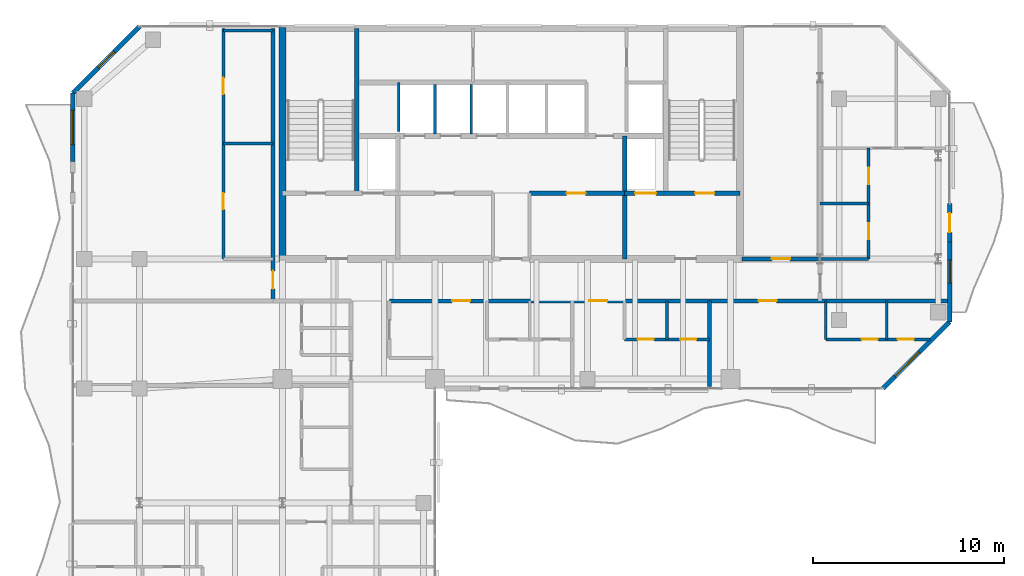
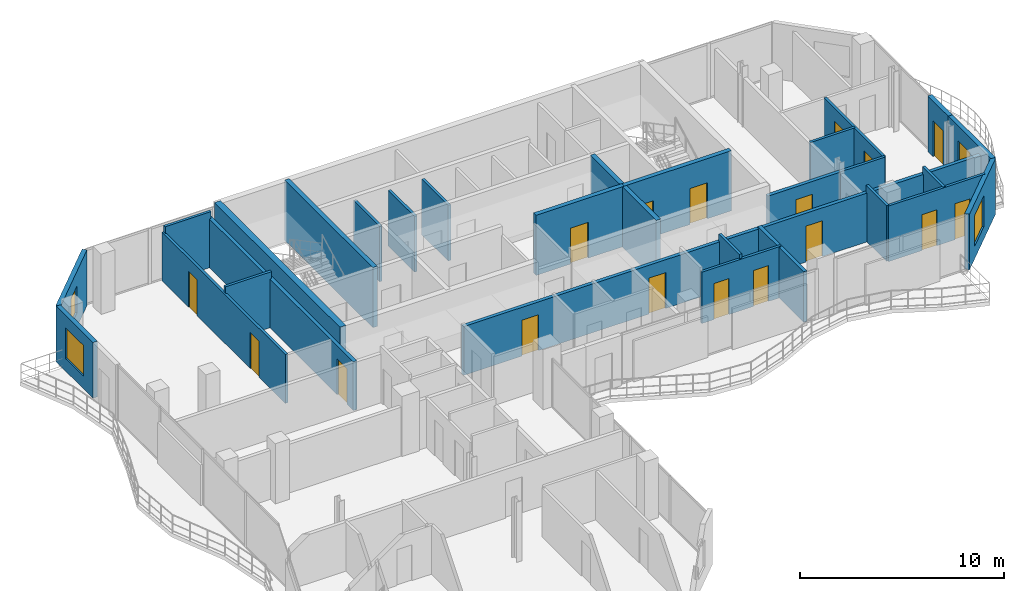
# One storey, part 19 of 23: 28 walls, 17 doors, 4 windows, 21 openings.
"""IFC4 building model written with IfcOpenShell, lengths in metres."""

from ifc_helpers import new_model, si_unit, direction, frame, frame_2d, origin, place, context, subcontext, project, spatial, rectangle, extrude, material, layer, layer_set, type_object, element, fill, save


model = new_model("IFC4")

# Units and contexts
model_context = context("Model", 3, precision=1e-05, world=origin(), true_north=direction((0.0, 1.0)))
body_context = subcontext(model_context, "Body", "Model", "MODEL_VIEW")
ifc_project = project(units=[si_unit("LENGTHUNIT", "METRE"), si_unit("AREAUNIT", "SQUARE_METRE"), si_unit("VOLUMEUNIT", "CUBIC_METRE"), si_unit("PLANEANGLEUNIT", "RADIAN"), si_unit("MASSUNIT", "GRAM", prefix="KILO")], contexts=[model_context])

# Site, building, storey
site_placement = place(None, origin())
site = spatial("IfcSite", under=ifc_project, at=site_placement, CompositionType="ELEMENT")
building_placement = place(site_placement, origin())
building = spatial("IfcBuilding", under=site, at=building_placement, Name="Catumbela Crestline Tower", CompositionType="ELEMENT")
storey_placement = place(building_placement, frame((0.0, 0.0, 179.4)))
storey = spatial("IfcBuildingStorey", under=building, at=storey_placement, Name="L46", CompositionType="ELEMENT", Elevation=179.4)

# Walls
ifc_material_1 = material(Name="Concrete C50/60", Category="concrete")
ifc_layer_1 = layer(ifc_material_1, 0.25, Name="Concrete C50/60")
ifc_layer_set_1 = layer_set([ifc_layer_1], Name="Concrete C50/60")
wall_type_1 = type_object("IfcWallType", Name="CW-250D", PredefinedType="SHEAR", material=ifc_layer_set_1)
wall_1_placement = place(storey_placement, frame((19.9, 34.25, 0.0), z_axis=(0.0, 0.0, 1.0), x_axis=(0.0, 1.0, 0.0)))
element("IfcWall", 1, at=wall_1_placement, inside=storey, type_object=wall_type_1, Name="L46 Structural Core Shear Wall WWEB", PredefinedType="SHEAR", context=body_context, shape_type="SweptSolid", body=[
    extrude(rectangle(XDim=8.65, YDim=0.25, at=frame_2d((4.325, 0.0))), origin(), (0.0, 0.0, 1.0), 3.6),
])
wall_2_placement = place(storey_placement, frame((33.95, 30.8, 0.0), z_axis=(0.0, 0.0, 1.0), x_axis=(0.0, 1.0, 0.0)))
element("IfcWall", 2, at=wall_2_placement, inside=storey, type_object=wall_type_1, Name="L46 Structural Core Shear Wall FFE", PredefinedType="SHEAR", context=body_context, shape_type="SweptSolid", body=[
    extrude(rectangle(XDim=6.45, YDim=0.25, at=frame_2d((3.225, 0.0))), origin(), (0.0, 0.0, 1.0), 3.6),
])

# Wall, openings, doors
wall_3_placement = place(storey_placement, frame((33.95, 34.25, 0.0), z_axis=(0.0, 0.0, 1.0), x_axis=(1.0, 0.0, 0.0)))
wall_3 = element("IfcWall", 3, at=wall_3_placement, inside=storey, type_object=wall_type_1, Name="L46 Structural Core Shear Wall ST2S", PredefinedType="SHEAR", context=body_context, shape_type="SweptSolid", body=[
    extrude(rectangle(XDim=6.05, YDim=0.25, at=frame_2d((3.025, 0.0))), origin(), (0.0, 0.0, 1.0), 3.6),
])
opening_1_placement = place(wall_3_placement, frame((3.7, 0.0, 0.0)))
opening_1 = element("IfcOpeningElement", 4, at=opening_1_placement, cuts=wall_3, Name="Opening DF9-100", PredefinedType="OPENING", context=body_context, shape_type="SweptSolid", body=[
    extrude(rectangle(XDim=1.0, YDim=2.15, at=frame_2d((0.5, 1.075))), frame((0.0, 0.135, 0.0), z_axis=(0.0, -1.0, 0.0), x_axis=(1.0, 0.0, 0.0)), (0.0, 0.0, 1.0), 0.27),
])
opening_2_placement = place(wall_3_placement, frame((0.55, 0.0, 0.0)))
opening_2 = element("IfcOpeningElement", 5, at=opening_2_placement, cuts=wall_3, Name="Opening LD-110", PredefinedType="OPENING", context=body_context, shape_type="SweptSolid", body=[
    extrude(rectangle(XDim=1.1, YDim=2.15, at=frame_2d((0.55, 1.075))), frame((0.0, 0.135, 0.0), z_axis=(0.0, -1.0, 0.0), x_axis=(1.0, 0.0, 0.0)), (0.0, 0.0, 1.0), 0.27),
])
ifc_material_2 = material(Name="Stainless steel EN 1.4401", Category="steel")
door_type_1 = type_object("IfcDoorType", Name="DF9-100", OperationType="NOTDEFINED", PredefinedType="DOOR", material=ifc_material_2)
door_1_placement = place(opening_1_placement, origin())
door_1 = element("IfcDoor", 6, at=door_1_placement, inside=storey, type_object=door_type_1, Name="L46 Interior Door DR-L46-ST02", OperationType="SINGLE_SWING_RIGHT", OverallHeight=2.15, OverallWidth=1.0, PredefinedType="DOOR", context=body_context, shape_type="SweptSolid", body=[
    extrude(rectangle(XDim=1.0, YDim=2.15, at=frame_2d((0.5, 1.075))), frame((0.0, 0.025, 0.0), z_axis=(0.0, -1.0, 0.0), x_axis=(1.0, 0.0, 0.0)), (0.0, 0.0, 1.0), 0.05),
])
fill(opening_1, door_1)
door_type_2 = type_object("IfcDoorType", Name="LD-110", OperationType="NOTDEFINED", PredefinedType="DOOR", material=ifc_material_2)
door_2_placement = place(opening_2_placement, origin())
door_2 = element("IfcDoor", 7, at=door_2_placement, inside=storey, type_object=door_type_2, Name="L46 Lift Landing Sliding Door FL-02", OperationType="DOUBLE_DOOR_SLIDING", OverallHeight=2.15, OverallWidth=1.1, PredefinedType="DOOR", context=body_context, shape_type="SweptSolid", body=[
    extrude(rectangle(XDim=1.1, YDim=2.15, at=frame_2d((0.55, 1.075))), frame((0.0, 0.025, 0.0), z_axis=(0.0, -1.0, 0.0), x_axis=(1.0, 0.0, 0.0)), (0.0, 0.0, 1.0), 0.05),
])
fill(opening_2, door_2)

# Wall, opening, door
wall_4_placement = place(storey_placement, frame((28.95, 34.25, 0.0), z_axis=(0.0, 0.0, 1.0), x_axis=(1.0, 0.0, 0.0)))
wall_4 = element("IfcWall", 8, at=wall_4_placement, inside=storey, type_object=wall_type_1, Name="L46 Structural Core Shear Wall LIFTS-E", PredefinedType="SHEAR", context=body_context, shape_type="SweptSolid", body=[
    extrude(rectangle(XDim=5.0, YDim=0.25, at=frame_2d((2.5, 0.0))), origin(), (0.0, 0.0, 1.0), 3.6),
])
opening_3_placement = place(wall_4_placement, frame((1.95, 0.0, 0.0)))
opening_3 = element("IfcOpeningElement", 9, at=opening_3_placement, cuts=wall_4, Name="Opening DF9-100", PredefinedType="OPENING", context=body_context, shape_type="SweptSolid", body=[
    extrude(rectangle(XDim=1.0, YDim=2.15, at=frame_2d((0.5, 1.075))), frame((0.0, 0.135, 0.0), z_axis=(0.0, -1.0, 0.0), x_axis=(1.0, 0.0, 0.0)), (0.0, 0.0, 1.0), 0.27),
])
door_3_placement = place(opening_3_placement, origin())
door_3 = element("IfcDoor", 10, at=door_3_placement, inside=storey, type_object=door_type_1, Name="L46 Interior Door DR-L46-RECL2", OperationType="SINGLE_SWING_RIGHT", OverallHeight=2.15, OverallWidth=1.0, PredefinedType="DOOR", context=body_context, shape_type="SweptSolid", body=[
    extrude(rectangle(XDim=1.0, YDim=2.15, at=frame_2d((0.5, 1.075))), frame((0.0, 0.025, 0.0), z_axis=(0.0, -1.0, 0.0), x_axis=(1.0, 0.0, 0.0)), (0.0, 0.0, 1.0), 0.05),
])
fill(opening_3, door_3)

# Wall
ifc_layer_2 = layer(ifc_material_1, 0.35, Name="Concrete C50/60")
ifc_layer_set_2 = layer_set([ifc_layer_2], Name="Concrete C50/60")
wall_type_2 = type_object("IfcWallType", Name="CW-350B", PredefinedType="SHEAR", material=ifc_layer_set_2)
wall_5_placement = place(storey_placement, frame((16.0, 30.65, 0.0), z_axis=(0.0, 0.0, 1.0), x_axis=(0.0, 1.0, 0.0)))
element("IfcWall", 11, at=wall_5_placement, inside=storey, type_object=wall_type_2, Name="L46 Structural Core Shear Wall W", PredefinedType="SHEAR", context=body_context, shape_type="SweptSolid", body=[
    extrude(rectangle(XDim=12.3, YDim=0.35, at=frame_2d((6.15, 0.0))), origin(), (0.0, 0.0, 1.0), 3.6),
])

# Wall, openings, doors
ifc_material_3 = material(Name="Acoustic gypsum and mineral-wool partition")
ifc_layer_3 = layer(ifc_material_3, 0.2, Name="Acoustic gypsum and mineral-wool partition")
ifc_layer_set_3 = layer_set([ifc_layer_3], Name="Acoustic gypsum and mineral-wool partition")
wall_type_3 = type_object("IfcWallType", Name="WC-200", PredefinedType="PARTITIONING", material=ifc_layer_set_3)
wall_6_placement = place(storey_placement, frame((21.6, 28.6, 0.0), z_axis=(0.0, 0.0, 1.0), x_axis=(1.0, 0.0, 0.0)))
wall_6 = element("IfcWall", 12, at=wall_6_placement, inside=storey, type_object=wall_type_3, Name="L46 Interior Partition PW-L46-RCWR", PredefinedType="PARTITIONING", context=body_context, shape_type="SweptSolid", body=[
    extrude(rectangle(XDim=29.3, YDim=0.2, at=frame_2d((14.65, 0.0))), origin(), (0.0, 0.0, 1.0), 2.92),
])
opening_4_placement = place(wall_6_placement, frame((3.293, 0.0, 0.0)))
opening_4 = element("IfcOpeningElement", 13, at=opening_4_placement, cuts=wall_6, Name="Opening DF6-095", PredefinedType="OPENING", context=body_context, shape_type="SweptSolid", body=[
    extrude(rectangle(XDim=0.95, YDim=2.15, at=frame_2d((0.475, 1.075))), frame((0.0, 0.11, 0.0), z_axis=(0.0, -1.0, 0.0), x_axis=(1.0, 0.0, 0.0)), (0.0, 0.0, 1.0), 0.22),
])
opening_5_placement = place(wall_6_placement, frame((10.493, 0.0, 0.0)))
opening_5 = element("IfcOpeningElement", 14, at=opening_5_placement, cuts=wall_6, Name="Opening DF6-095", PredefinedType="OPENING", context=body_context, shape_type="SweptSolid", body=[
    extrude(rectangle(XDim=0.95, YDim=2.15, at=frame_2d((0.475, 1.075))), frame((0.0, 0.11, 0.0), z_axis=(0.0, -1.0, 0.0), x_axis=(1.0, 0.0, 0.0)), (0.0, 0.0, 1.0), 0.22),
])
opening_6_placement = place(wall_6_placement, frame((19.375, 0.0, 0.0)))
opening_6 = element("IfcOpeningElement", 15, at=opening_6_placement, cuts=wall_6, Name="Opening DF6-095", PredefinedType="OPENING", context=body_context, shape_type="SweptSolid", body=[
    extrude(rectangle(XDim=0.95, YDim=2.15, at=frame_2d((0.475, 1.075))), frame((0.0, 0.11, 0.0), z_axis=(0.0, -1.0, 0.0), x_axis=(1.0, 0.0, 0.0)), (0.0, 0.0, 1.0), 0.22),
])
ifc_material_4 = material(Name="Aluminium alloy AW-6060-T66", Category="aluminium")
door_type_3 = type_object("IfcDoorType", Name="DF6-095", OperationType="NOTDEFINED", PredefinedType="DOOR", material=ifc_material_4)
door_4_placement = place(opening_4_placement, origin())
door_4 = element("IfcDoor", 16, at=door_4_placement, inside=storey, type_object=door_type_3, Name="L46 Interior Door DR-L46-S1-ENT", OperationType="SINGLE_SWING_LEFT", OverallHeight=2.15, OverallWidth=0.95, PredefinedType="DOOR", context=body_context, shape_type="SweptSolid", body=[
    extrude(rectangle(XDim=0.95, YDim=2.15, at=frame_2d((0.475, 1.075))), frame((0.0, 0.025, 0.0), z_axis=(0.0, -1.0, 0.0), x_axis=(1.0, 0.0, 0.0)), (0.0, 0.0, 1.0), 0.05),
])
fill(opening_4, door_4)
door_5_placement = place(opening_5_placement, origin())
door_5 = element("IfcDoor", 17, at=door_5_placement, inside=storey, type_object=door_type_3, Name="L46 Interior Door DR-L46-S2-ENT", OperationType="SINGLE_SWING_RIGHT", OverallHeight=2.15, OverallWidth=0.95, PredefinedType="DOOR", context=body_context, shape_type="SweptSolid", body=[
    extrude(rectangle(XDim=0.95, YDim=2.15, at=frame_2d((0.475, 1.075))), frame((0.0, 0.025, 0.0), z_axis=(0.0, -1.0, 0.0), x_axis=(1.0, 0.0, 0.0)), (0.0, 0.0, 1.0), 0.05),
])
fill(opening_5, door_5)
door_6_placement = place(opening_6_placement, origin())
door_6 = element("IfcDoor", 18, at=door_6_placement, inside=storey, type_object=door_type_3, Name="L46 Interior Door DR-L46-S3-ENT", OperationType="SINGLE_SWING_LEFT", OverallHeight=2.15, OverallWidth=0.95, PredefinedType="DOOR", context=body_context, shape_type="SweptSolid", body=[
    extrude(rectangle(XDim=0.95, YDim=2.15, at=frame_2d((0.475, 1.075))), frame((0.0, 0.025, 0.0), z_axis=(0.0, -1.0, 0.0), x_axis=(1.0, 0.0, 0.0)), (0.0, 0.0, 1.0), 0.05),
])
fill(opening_6, door_6)

# Wall, opening, door
wall_7_placement = place(storey_placement, frame((15.5, 28.6, 0.0), z_axis=(0.0, 0.0, 1.0), x_axis=(0.0, 1.0, 0.0)))
wall_7 = element("IfcWall", 19, at=wall_7_placement, inside=storey, type_object=wall_type_3, Name="L46 Interior Partition PW-L46-NW1-ENT", PredefinedType="PARTITIONING", context=body_context, shape_type="SweptSolid", body=[
    extrude(rectangle(XDim=14.3, YDim=0.2, at=frame_2d((7.15, 0.0))), origin(), (0.0, 0.0, 1.0), 2.92),
])
opening_7_placement = place(wall_7_placement, frame((0.625, 0.0, 0.0)))
opening_7 = element("IfcOpeningElement", 20, at=opening_7_placement, cuts=wall_7, Name="Opening DF6-095", PredefinedType="OPENING", context=body_context, shape_type="SweptSolid", body=[
    extrude(rectangle(XDim=0.95, YDim=2.15, at=frame_2d((0.475, 1.075))), frame((0.0, 0.11, 0.0), z_axis=(0.0, -1.0, 0.0), x_axis=(1.0, 0.0, 0.0)), (0.0, 0.0, 1.0), 0.22),
])
door_7_placement = place(opening_7_placement, origin())
door_7 = element("IfcDoor", 21, at=door_7_placement, inside=storey, type_object=door_type_3, Name="L46 Interior Door DR-L46-NW1-ENT", OperationType="SINGLE_SWING_LEFT", OverallHeight=2.15, OverallWidth=0.95, PredefinedType="DOOR", context=body_context, shape_type="SweptSolid", body=[
    extrude(rectangle(XDim=0.95, YDim=2.15, at=frame_2d((0.475, 1.075))), frame((0.0, 0.025, 0.0), z_axis=(0.0, -1.0, 0.0), x_axis=(1.0, 0.0, 0.0)), (0.0, 0.0, 1.0), 0.05),
])
fill(opening_7, door_7)

wall_8_placement = place(storey_placement, frame((40.1, 30.8, 0.0), z_axis=(0.0, 0.0, 1.0), x_axis=(1.0, 0.0, 0.0)))
wall_8 = element("IfcWall", 22, at=wall_8_placement, inside=storey, type_object=wall_type_3, Name="L46 Interior Partition PW-L46-NERM-ENT", PredefinedType="PARTITIONING", context=body_context, shape_type="SweptSolid", body=[
    extrude(rectangle(XDim=4.1, YDim=0.2, at=frame_2d((2.05, 0.0))), origin(), (0.0, 0.0, 1.0), 2.92),
])
opening_8_placement = place(wall_8_placement, frame((1.575, 0.0, 0.0)))
opening_8 = element("IfcOpeningElement", 23, at=opening_8_placement, cuts=wall_8, Name="Opening DF6-095", PredefinedType="OPENING", context=body_context, shape_type="SweptSolid", body=[
    extrude(rectangle(XDim=0.95, YDim=2.15, at=frame_2d((0.475, 1.075))), frame((0.0, 0.11, 0.0), z_axis=(0.0, -1.0, 0.0), x_axis=(1.0, 0.0, 0.0)), (0.0, 0.0, 1.0), 0.22),
])
door_8_placement = place(opening_8_placement, origin())
door_8 = element("IfcDoor", 24, at=door_8_placement, inside=storey, type_object=door_type_3, Name="L46 Interior Door DR-L46-NERM-ENT", OperationType="SINGLE_SWING_LEFT", OverallHeight=2.15, OverallWidth=0.95, PredefinedType="DOOR", context=body_context, shape_type="SweptSolid", body=[
    extrude(rectangle(XDim=0.95, YDim=2.15, at=frame_2d((0.475, 1.075))), frame((0.0, 0.025, 0.0), z_axis=(0.0, -1.0, 0.0), x_axis=(1.0, 0.0, 0.0)), (0.0, 0.0, 1.0), 0.05),
])
fill(opening_8, door_8)

# Wall, opening, window
ifc_material_5 = material(Name="Angolan grey-ochre granite", Category="masonry")
ifc_layer_4 = layer(ifc_material_5, 0.25, Name="Angolan grey-ochre granite")
ifc_layer_set_4 = layer_set([ifc_layer_4], Name="Angolan grey-ochre granite")
wall_type_4 = type_object("IfcWallType", Name="WE-250", PredefinedType="STANDARD", material=ifc_layer_set_4)
wall_9_placement = place(storey_placement, frame((47.5, 24.0, 0.0), z_axis=(0.0, 0.0, 1.0), x_axis=(0.707106781187, 0.707106781187, 0.0)))
wall_9 = element("IfcWall", 25, at=wall_9_placement, inside=storey, type_object=wall_type_4, Name="L46 Granite Punched Window Wall 4-1", PredefinedType="STANDARD", context=body_context, shape_type="SweptSolid", body=[
    extrude(rectangle(XDim=4.9497, YDim=0.25, at=frame_2d((2.4748, 0.0))), origin(), (0.0, 0.0, 1.0), 3.33),
])
opening_9_placement = place(wall_9_placement, frame((0.8962, 0.0, 0.75)))
opening_9 = element("IfcOpeningElement", 26, at=opening_9_placement, cuts=wall_9, Name="Opening WN-01", PredefinedType="OPENING", context=body_context, shape_type="SweptSolid", body=[
    extrude(rectangle(XDim=1.8, YDim=1.85, at=frame_2d((0.9, 0.925))), frame((0.0, 0.135, 0.0), z_axis=(0.0, -1.0, 0.0), x_axis=(1.0, 0.0, 0.0)), (0.0, 0.0, 1.0), 0.27),
])
ifc_material_6 = material(Name="Low-E laminated solar-control double glazing", Category="glass")
window_type_1 = type_object("IfcWindowType", Name="WF-1800", PartitioningType="SINGLE_PANEL", PredefinedType="WINDOW", material=ifc_material_6)
window_1_placement = place(opening_9_placement, origin())
window_1 = element("IfcWindow", 27, at=window_1_placement, inside=storey, type_object=window_type_1, Name="L46 Facade Vision Window 287", OverallHeight=1.85, OverallWidth=1.8, PartitioningType="SINGLE_PANEL", PredefinedType="WINDOW", context=body_context, shape_type="SweptSolid", body=[
    extrude(rectangle(XDim=1.8, YDim=1.85, at=frame_2d((0.9, 0.925))), frame((0.0, 0.03, 0.0), z_axis=(0.0, -1.0, 0.0), x_axis=(1.0, 0.0, 0.0)), (0.0, 0.0, 1.0), 0.06),
])
fill(opening_9, window_1)

# Wall, opening, door
wall_10_placement = place(storey_placement, frame((51.0, 31.7, 0.0), z_axis=(0.0, 0.0, 1.0), x_axis=(0.0, 1.0, 0.0)))
wall_10 = element("IfcWall", 28, at=wall_10_placement, inside=storey, type_object=wall_type_4, Name="L46 Exterior Threshold Portal Wall DR-L46-WBAL-2", PredefinedType="STANDARD", context=body_context, shape_type="SweptSolid", body=[
    extrude(rectangle(XDim=2.0, YDim=0.25, at=frame_2d((1.0, 0.0))), origin(), (0.0, 0.0, 1.0), 3.33),
])
opening_10_placement = place(wall_10_placement, frame((0.5, 0.0, 0.0)))
opening_10 = element("IfcOpeningElement", 29, at=opening_10_placement, cuts=wall_10, Name="Opening DB-L46-2", PredefinedType="OPENING", context=body_context, shape_type="SweptSolid", body=[
    extrude(rectangle(XDim=1.0, YDim=2.15, at=frame_2d((0.5, 1.075))), frame((0.0, 0.135, 0.0), z_axis=(0.0, -1.0, 0.0), x_axis=(1.0, 0.0, 0.0)), (0.0, 0.0, 1.0), 0.27),
])
door_type_4 = type_object("IfcDoorType", Name="DB-1000", OperationType="NOTDEFINED", PredefinedType="DOOR", material=ifc_material_4)
door_9_placement = place(opening_10_placement, origin())
door_9 = element("IfcDoor", 30, at=door_9_placement, inside=storey, type_object=door_type_4, Name="L46 Wave Balcony Terrace Door 2", OperationType="SINGLE_SWING_LEFT", OverallHeight=2.15, OverallWidth=1.0, PredefinedType="DOOR", context=body_context, shape_type="SweptSolid", body=[
    extrude(rectangle(XDim=1.0, YDim=2.15, at=frame_2d((0.5, 1.075))), frame((0.0, 0.025, 0.0), z_axis=(0.0, -1.0, 0.0), x_axis=(1.0, 0.0, 0.0)), (0.0, 0.0, 1.0), 0.05),
])
fill(opening_10, door_9)

# Wall, opening, window
wall_11_placement = place(storey_placement, frame((51.0, 27.5, 0.0), z_axis=(0.0, 0.0, 1.0), x_axis=(0.0, 1.0, 0.0)))
wall_11 = element("IfcWall", 31, at=wall_11_placement, inside=storey, type_object=wall_type_4, Name="L46 Granite Punched Window Wall 5-1", PredefinedType="STANDARD", context=body_context, shape_type="SweptSolid", body=[
    extrude(rectangle(XDim=4.2, YDim=0.25, at=frame_2d((2.1, 0.0))), origin(), (0.0, 0.0, 1.0), 3.33),
])
opening_11_placement = place(wall_11_placement, frame((2.04, 0.0, 0.85)))
opening_11 = element("IfcOpeningElement", 32, at=opening_11_placement, cuts=wall_11, Name="Opening WN-02", PredefinedType="OPENING", context=body_context, shape_type="SweptSolid", body=[
    extrude(rectangle(XDim=1.2, YDim=1.6, at=frame_2d((0.6, 0.8))), frame((0.0, 0.135, 0.0), z_axis=(0.0, -1.0, 0.0), x_axis=(1.0, 0.0, 0.0)), (0.0, 0.0, 1.0), 0.27),
])
window_type_2 = type_object("IfcWindowType", Name="WO-1200", PartitioningType="SINGLE_PANEL", PredefinedType="WINDOW", material=ifc_material_6)
window_2_placement = place(opening_11_placement, origin())
window_2 = element("IfcWindow", 33, at=window_2_placement, inside=storey, type_object=window_type_2, Name="L46 Facade Vision Window 288", OverallHeight=1.6, OverallWidth=1.2, PartitioningType="SINGLE_PANEL", PredefinedType="WINDOW", context=body_context, shape_type="SweptSolid", body=[
    extrude(rectangle(XDim=1.2, YDim=1.6, at=frame_2d((0.6, 0.8))), frame((0.0, 0.03, 0.0), z_axis=(0.0, -1.0, 0.0), x_axis=(1.0, 0.0, 0.0)), (0.0, 0.0, 1.0), 0.06),
])
fill(opening_11, window_2)

wall_12_placement = place(storey_placement, frame((8.5, 43.0, 0.0), z_axis=(0.0, 0.0, 1.0), x_axis=(-0.707106781187, -0.707106781187, 0.0)))
wall_12 = element("IfcWall", 34, at=wall_12_placement, inside=storey, type_object=wall_type_4, Name="L46 Granite Punched Window Wall 8-1", PredefinedType="STANDARD", context=body_context, shape_type="SweptSolid", body=[
    extrude(rectangle(XDim=4.9497, YDim=0.25, at=frame_2d((2.4748, 0.0))), origin(), (0.0, 0.0, 1.0), 3.33),
])
opening_12_placement = place(wall_12_placement, frame((1.8748, 0.0, 0.85)))
opening_12 = element("IfcOpeningElement", 35, at=opening_12_placement, cuts=wall_12, Name="Opening WN-02", PredefinedType="OPENING", context=body_context, shape_type="SweptSolid", body=[
    extrude(rectangle(XDim=1.2, YDim=1.6, at=frame_2d((0.6, 0.8))), frame((0.0, 0.135, 0.0), z_axis=(0.0, -1.0, 0.0), x_axis=(1.0, 0.0, 0.0)), (0.0, 0.0, 1.0), 0.27),
])
window_3_placement = place(opening_12_placement, origin())
window_3 = element("IfcWindow", 36, at=window_3_placement, inside=storey, type_object=window_type_2, Name="L46 Facade Vision Window 290", OverallHeight=1.6, OverallWidth=1.2, PartitioningType="SINGLE_PANEL", PredefinedType="WINDOW", context=body_context, shape_type="SweptSolid", body=[
    extrude(rectangle(XDim=1.2, YDim=1.6, at=frame_2d((0.6, 0.8))), frame((0.0, 0.03, 0.0), z_axis=(0.0, -1.0, 0.0), x_axis=(1.0, 0.0, 0.0)), (0.0, 0.0, 1.0), 0.06),
])
fill(opening_12, window_3)

wall_13_placement = place(storey_placement, frame((5.0, 39.5, 0.0), z_axis=(0.0, 0.0, 1.0), x_axis=(0.0, -1.0, 0.0)))
wall_13 = element("IfcWall", 37, at=wall_13_placement, inside=storey, type_object=wall_type_4, Name="L46 Granite Punched Window Wall 9-1", PredefinedType="STANDARD", context=body_context, shape_type="SweptSolid", body=[
    extrude(rectangle(XDim=3.6, YDim=0.25, at=frame_2d((1.8, 0.0))), origin(), (0.0, 0.0, 1.0), 3.33),
])
opening_13_placement = place(wall_13_placement, frame((0.9, 0.0, 0.75)))
opening_13 = element("IfcOpeningElement", 38, at=opening_13_placement, cuts=wall_13, Name="Opening WN-01", PredefinedType="OPENING", context=body_context, shape_type="SweptSolid", body=[
    extrude(rectangle(XDim=1.8, YDim=1.85, at=frame_2d((0.9, 0.925))), frame((0.0, 0.135, 0.0), z_axis=(0.0, -1.0, 0.0), x_axis=(1.0, 0.0, 0.0)), (0.0, 0.0, 1.0), 0.27),
])
window_4_placement = place(opening_13_placement, origin())
window_4 = element("IfcWindow", 39, at=window_4_placement, inside=storey, type_object=window_type_1, Name="L46 Facade Vision Window 291", OverallHeight=1.85, OverallWidth=1.8, PartitioningType="SINGLE_PANEL", PredefinedType="WINDOW", context=body_context, shape_type="SweptSolid", body=[
    extrude(rectangle(XDim=1.8, YDim=1.85, at=frame_2d((0.9, 0.925))), frame((0.0, 0.03, 0.0), z_axis=(0.0, -1.0, 0.0), x_axis=(1.0, 0.0, 0.0)), (0.0, 0.0, 1.0), 0.06),
])
fill(opening_13, window_4)

# Wall
ifc_layer_5 = layer(ifc_material_3, 0.15, Name="Acoustic gypsum and mineral-wool partition")
ifc_layer_set_5 = layer_set([ifc_layer_5], Name="Acoustic gypsum and mineral-wool partition")
wall_type_5 = type_object("IfcWallType", Name="WP-150", PredefinedType="PARTITIONING", material=ifc_layer_set_5)
wall_14_placement = place(storey_placement, frame((12.9, 36.85, 0.0), z_axis=(0.0, 0.0, 1.0), x_axis=(1.0, 0.0, 0.0)))
element("IfcWall", 40, at=wall_14_placement, inside=storey, type_object=wall_type_5, Name="L46 Interior Partition PW-L46-NW1-KBM", PredefinedType="PARTITIONING", context=body_context, shape_type="SweptSolid", body=[
    extrude(rectangle(XDim=2.6, YDim=0.15, at=frame_2d((1.3, 0.0))), origin(), (0.0, 0.0, 1.0), 3.33),
])

# Wall, openings, doors
wall_15_placement = place(storey_placement, frame((12.9, 30.8, 0.0), z_axis=(0.0, 0.0, 1.0), x_axis=(0.0, 1.0, 0.0)))
wall_15 = element("IfcWall", 41, at=wall_15_placement, inside=storey, type_object=wall_type_5, Name="L46 Interior Partition PW-L46-NW1-SK1", PredefinedType="PARTITIONING", context=body_context, shape_type="SweptSolid", body=[
    extrude(rectangle(XDim=12.1, YDim=0.15, at=frame_2d((6.05, 0.0))), origin(), (0.0, 0.0, 1.0), 2.92),
])
opening_14_placement = place(wall_15_placement, frame((2.6, 0.0, 0.0)))
opening_14 = element("IfcOpeningElement", 42, at=opening_14_placement, cuts=wall_15, Name="Opening DI-085", PredefinedType="OPENING", context=body_context, shape_type="SweptSolid", body=[
    extrude(rectangle(XDim=0.85, YDim=2.15, at=frame_2d((0.425, 1.075))), frame((0.0, 0.085, 0.0), z_axis=(0.0, -1.0, 0.0), x_axis=(1.0, 0.0, 0.0)), (0.0, 0.0, 1.0), 0.17),
])
opening_15_placement = place(wall_15_placement, frame((8.65, 0.0, 0.0)))
opening_15 = element("IfcOpeningElement", 43, at=opening_15_placement, cuts=wall_15, Name="Opening DI-085", PredefinedType="OPENING", context=body_context, shape_type="SweptSolid", body=[
    extrude(rectangle(XDim=0.85, YDim=2.15, at=frame_2d((0.425, 1.075))), frame((0.0, 0.085, 0.0), z_axis=(0.0, -1.0, 0.0), x_axis=(1.0, 0.0, 0.0)), (0.0, 0.0, 1.0), 0.17),
])
door_type_5 = type_object("IfcDoorType", Name="DI-085", OperationType="NOTDEFINED", PredefinedType="DOOR", material=ifc_material_4)
door_10_placement = place(opening_14_placement, origin())
door_10 = element("IfcDoor", 44, at=door_10_placement, inside=storey, type_object=door_type_5, Name="L46 Interior Door DR-L46-NW1-KIT", OperationType="SINGLE_SWING_LEFT", OverallHeight=2.15, OverallWidth=0.85, PredefinedType="DOOR", context=body_context, shape_type="SweptSolid", body=[
    extrude(rectangle(XDim=0.85, YDim=2.15, at=frame_2d((0.425, 1.075))), frame((0.0, 0.025, 0.0), z_axis=(0.0, -1.0, 0.0), x_axis=(1.0, 0.0, 0.0)), (0.0, 0.0, 1.0), 0.05),
])
fill(opening_14, door_10)
door_11_placement = place(opening_15_placement, origin())
door_11 = element("IfcDoor", 45, at=door_11_placement, inside=storey, type_object=door_type_5, Name="L46 Interior Door DR-L46-NW1-BTH", OperationType="SINGLE_SWING_RIGHT", OverallHeight=2.15, OverallWidth=0.85, PredefinedType="DOOR", context=body_context, shape_type="SweptSolid", body=[
    extrude(rectangle(XDim=0.85, YDim=2.15, at=frame_2d((0.425, 1.075))), frame((0.0, 0.025, 0.0), z_axis=(0.0, -1.0, 0.0), x_axis=(1.0, 0.0, 0.0)), (0.0, 0.0, 1.0), 0.05),
])
fill(opening_15, door_11)

# Walls
wall_16_placement = place(storey_placement, frame((12.9, 42.78, 0.0), z_axis=(0.0, 0.0, 1.0), x_axis=(1.0, 0.0, 0.0)))
element("IfcWall", 46, at=wall_16_placement, inside=storey, type_object=wall_type_5, Name="L46 Interior Partition PW-L46-NW1-BTH-BCL-2", PredefinedType="PARTITIONING", context=body_context, shape_type="SweptSolid", body=[
    extrude(rectangle(XDim=2.6, YDim=0.15, at=frame_2d((1.3, 0.0))), origin(), (0.0, 0.0, 1.0), 3.33),
])
for number, where, z_axis, x_axis, name in (
    (47, (44.2, 30.8, 0.0), (0.0, 0.0, 1.0), (1.0, 0.0, 0.0), "L46 Interior Partition PW-L46-NE1-KBS"),
    (48, (44.2, 33.704, 0.0), (0.0, 0.0, 1.0), (1.0, 0.0, 0.0), "L46 Interior Partition PW-L46-NE1-KBM"),
):
    element("IfcWall", number, at=place(storey_placement, frame(where, z_axis=z_axis, x_axis=x_axis)), inside=storey, type_object=wall_type_5, Name=name, PredefinedType="PARTITIONING", context=body_context, shape_type="SweptSolid", body=[
        extrude(rectangle(XDim=2.546, YDim=0.15, at=frame_2d((1.273, 0.0))), origin(), (0.0, 0.0, 1.0), 2.92),
    ])

# Wall, openings, doors
wall_17_placement = place(storey_placement, frame((46.746, 30.8, 0.0), z_axis=(0.0, 0.0, 1.0), x_axis=(0.0, 1.0, 0.0)))
wall_17 = element("IfcWall", 49, at=wall_17_placement, inside=storey, type_object=wall_type_5, Name="L46 Interior Partition PW-L46-NE1-LK", PredefinedType="PARTITIONING", context=body_context, shape_type="SweptSolid", body=[
    extrude(rectangle(XDim=5.808, YDim=0.15, at=frame_2d((2.904, 0.0))), origin(), (0.0, 0.0, 1.0), 2.92),
])
opening_16_placement = place(wall_17_placement, frame((1.027, 0.0, 0.0)))
opening_16 = element("IfcOpeningElement", 50, at=opening_16_placement, cuts=wall_17, Name="Opening DI-085", PredefinedType="OPENING", context=body_context, shape_type="SweptSolid", body=[
    extrude(rectangle(XDim=0.85, YDim=2.15, at=frame_2d((0.425, 1.075))), frame((0.0, 0.085, 0.0), z_axis=(0.0, -1.0, 0.0), x_axis=(1.0, 0.0, 0.0)), (0.0, 0.0, 1.0), 0.17),
])
opening_17_placement = place(wall_17_placement, frame((3.931, 0.0, 0.0)))
opening_17 = element("IfcOpeningElement", 51, at=opening_17_placement, cuts=wall_17, Name="Opening DI-085", PredefinedType="OPENING", context=body_context, shape_type="SweptSolid", body=[
    extrude(rectangle(XDim=0.85, YDim=2.15, at=frame_2d((0.425, 1.075))), frame((0.0, 0.085, 0.0), z_axis=(0.0, -1.0, 0.0), x_axis=(1.0, 0.0, 0.0)), (0.0, 0.0, 1.0), 0.17),
])
door_12_placement = place(opening_16_placement, origin())
door_12 = element("IfcDoor", 52, at=door_12_placement, inside=storey, type_object=door_type_5, Name="L46 Interior Door DR-L46-NE1-KIT", OperationType="SINGLE_SWING_LEFT", OverallHeight=2.15, OverallWidth=0.85, PredefinedType="DOOR", context=body_context, shape_type="SweptSolid", body=[
    extrude(rectangle(XDim=0.85, YDim=2.15, at=frame_2d((0.425, 1.075))), frame((0.0, 0.025, 0.0), z_axis=(0.0, -1.0, 0.0), x_axis=(1.0, 0.0, 0.0)), (0.0, 0.0, 1.0), 0.05),
])
fill(opening_16, door_12)
door_13_placement = place(opening_17_placement, origin())
door_13 = element("IfcDoor", 53, at=door_13_placement, inside=storey, type_object=door_type_5, Name="L46 Interior Door DR-L46-NE1-BTH", OperationType="SINGLE_SWING_RIGHT", OverallHeight=2.15, OverallWidth=0.85, PredefinedType="DOOR", context=body_context, shape_type="SweptSolid", body=[
    extrude(rectangle(XDim=0.85, YDim=2.15, at=frame_2d((0.425, 1.075))), frame((0.0, 0.025, 0.0), z_axis=(0.0, -1.0, 0.0), x_axis=(1.0, 0.0, 0.0)), (0.0, 0.0, 1.0), 0.05),
])
fill(opening_17, door_13)

# Wall
wall_18_placement = place(storey_placement, frame((36.168, 26.576, 0.0), z_axis=(0.0, 0.0, 1.0), x_axis=(0.0, 1.0, 0.0)))
element("IfcWall", 54, at=wall_18_placement, inside=storey, type_object=wall_type_5, Name="L46 Interior Partition PW-L46-S2-KBM", PredefinedType="PARTITIONING", context=body_context, shape_type="SweptSolid", body=[
    extrude(rectangle(XDim=2.024, YDim=0.15, at=frame_2d((1.012, 0.0))), origin(), (0.0, 0.0, 1.0), 3.33),
])

# Wall, openings, doors
wall_19_placement = place(storey_placement, frame((33.936, 26.576, 0.0), z_axis=(0.0, 0.0, 1.0), x_axis=(1.0, 0.0, 0.0)))
wall_19 = element("IfcWall", 55, at=wall_19_placement, inside=storey, type_object=wall_type_5, Name="L46 Interior Partition PW-L46-S2-KBD1", PredefinedType="PARTITIONING", context=body_context, shape_type="SweptSolid", body=[
    extrude(rectangle(XDim=4.464, YDim=0.15, at=frame_2d((2.232, 0.0))), origin(), (0.0, 0.0, 1.0), 3.07),
])
opening_18_placement = place(wall_19_placement, frame((0.691, 0.0, 0.0)))
opening_18 = element("IfcOpeningElement", 56, at=opening_18_placement, cuts=wall_19, Name="Opening DI-085", PredefinedType="OPENING", context=body_context, shape_type="SweptSolid", body=[
    extrude(rectangle(XDim=0.85, YDim=2.15, at=frame_2d((0.425, 1.075))), frame((0.0, 0.085, 0.0), z_axis=(0.0, -1.0, 0.0), x_axis=(1.0, 0.0, 0.0)), (0.0, 0.0, 1.0), 0.17),
])
opening_19_placement = place(wall_19_placement, frame((2.923, 0.0, 0.0)))
opening_19 = element("IfcOpeningElement", 57, at=opening_19_placement, cuts=wall_19, Name="Opening DI-085", PredefinedType="OPENING", context=body_context, shape_type="SweptSolid", body=[
    extrude(rectangle(XDim=0.85, YDim=2.15, at=frame_2d((0.425, 1.075))), frame((0.0, 0.085, 0.0), z_axis=(0.0, -1.0, 0.0), x_axis=(1.0, 0.0, 0.0)), (0.0, 0.0, 1.0), 0.17),
])
door_14_placement = place(opening_18_placement, origin())
door_14 = element("IfcDoor", 58, at=door_14_placement, inside=storey, type_object=door_type_5, Name="L46 Interior Door DR-L46-S2-BTH", OperationType="SINGLE_SWING_LEFT", OverallHeight=2.15, OverallWidth=0.85, PredefinedType="DOOR", context=body_context, shape_type="SweptSolid", body=[
    extrude(rectangle(XDim=0.85, YDim=2.15, at=frame_2d((0.425, 1.075))), frame((0.0, 0.025, 0.0), z_axis=(0.0, -1.0, 0.0), x_axis=(1.0, 0.0, 0.0)), (0.0, 0.0, 1.0), 0.05),
])
fill(opening_18, door_14)
door_15_placement = place(opening_19_placement, origin())
door_15 = element("IfcDoor", 59, at=door_15_placement, inside=storey, type_object=door_type_5, Name="L46 Interior Door DR-L46-S2-KIT", OperationType="SINGLE_SWING_RIGHT", OverallHeight=2.15, OverallWidth=0.85, PredefinedType="DOOR", context=body_context, shape_type="SweptSolid", body=[
    extrude(rectangle(XDim=0.85, YDim=2.15, at=frame_2d((0.425, 1.075))), frame((0.0, 0.025, 0.0), z_axis=(0.0, -1.0, 0.0), x_axis=(1.0, 0.0, 0.0)), (0.0, 0.0, 1.0), 0.05),
])
fill(opening_19, door_15)

# Walls
for number, where, z_axis, x_axis, name in (
    (60, (44.5, 26.576, 0.0), (0.0, 0.0, 1.0), (0.0, 1.0, 0.0), "L46 Interior Partition PW-L46-S3-KBW"),
    (61, (47.7, 26.576, 0.0), (0.0, 0.0, 1.0), (0.0, 1.0, 0.0), "L46 Interior Partition PW-L46-S3-KBM"),
):
    element("IfcWall", number, at=place(storey_placement, frame(where, z_axis=z_axis, x_axis=x_axis)), inside=storey, type_object=wall_type_5, Name=name, PredefinedType="PARTITIONING", context=body_context, shape_type="SweptSolid", body=[
        extrude(rectangle(XDim=2.024, YDim=0.15, at=frame_2d((1.012, 0.0))), origin(), (0.0, 0.0, 1.0), 3.33),
    ])

# Wall, openings, doors
wall_20_placement = place(storey_placement, frame((44.5, 26.576, 0.0), z_axis=(0.0, 0.0, 1.0), x_axis=(1.0, 0.0, 0.0)))
wall_20 = element("IfcWall", 62, at=wall_20_placement, inside=storey, type_object=wall_type_5, Name="L46 Interior Partition PW-L46-S3-KBD1", PredefinedType="PARTITIONING", context=body_context, shape_type="SweptSolid", body=[
    extrude(rectangle(XDim=5.476, YDim=0.15, at=frame_2d((2.738, 0.0))), origin(), (0.0, 0.0, 1.0), 3.33),
])
opening_20_placement = place(wall_20_placement, frame((1.8821, 0.0, 0.0)))
opening_20 = element("IfcOpeningElement", 63, at=opening_20_placement, cuts=wall_20, Name="Opening DI-085", PredefinedType="OPENING", context=body_context, shape_type="SweptSolid", body=[
    extrude(rectangle(XDim=0.85, YDim=2.15, at=frame_2d((0.425, 1.075))), frame((0.0, 0.085, 0.0), z_axis=(0.0, -1.0, 0.0), x_axis=(1.0, 0.0, 0.0)), (0.0, 0.0, 1.0), 0.17),
])
opening_21_placement = place(wall_20_placement, frame((3.7704, 0.0, 0.0)))
opening_21 = element("IfcOpeningElement", 64, at=opening_21_placement, cuts=wall_20, Name="Opening DI-085", PredefinedType="OPENING", context=body_context, shape_type="SweptSolid", body=[
    extrude(rectangle(XDim=0.85, YDim=2.15, at=frame_2d((0.425, 1.075))), frame((0.0, 0.085, 0.0), z_axis=(0.0, -1.0, 0.0), x_axis=(1.0, 0.0, 0.0)), (0.0, 0.0, 1.0), 0.17),
])
door_16_placement = place(opening_20_placement, origin())
door_16 = element("IfcDoor", 65, at=door_16_placement, inside=storey, type_object=door_type_5, Name="L46 Interior Door DR-L46-S3-BTH", OperationType="SINGLE_SWING_RIGHT", OverallHeight=2.15, OverallWidth=0.85, PredefinedType="DOOR", context=body_context, shape_type="SweptSolid", body=[
    extrude(rectangle(XDim=0.85, YDim=2.15, at=frame_2d((0.425, 1.075))), frame((0.0, 0.025, 0.0), z_axis=(0.0, -1.0, 0.0), x_axis=(1.0, 0.0, 0.0)), (0.0, 0.0, 1.0), 0.05),
])
fill(opening_20, door_16)
door_17_placement = place(opening_21_placement, origin())
door_17 = element("IfcDoor", 66, at=door_17_placement, inside=storey, type_object=door_type_5, Name="L46 Interior Door DR-L46-S3-KIT", OperationType="SINGLE_SWING_LEFT", OverallHeight=2.15, OverallWidth=0.85, PredefinedType="DOOR", context=body_context, shape_type="SweptSolid", body=[
    extrude(rectangle(XDim=0.85, YDim=2.15, at=frame_2d((0.425, 1.075))), frame((0.0, 0.025, 0.0), z_axis=(0.0, -1.0, 0.0), x_axis=(1.0, 0.0, 0.0)), (0.0, 0.0, 1.0), 0.05),
])
fill(opening_21, door_17)

# Walls
ifc_layer_6 = layer(ifc_material_3, 0.2, Name="Acoustic gypsum and mineral-wool partition")
ifc_layer_set_6 = layer_set([ifc_layer_6], Name="Acoustic gypsum and mineral-wool partition")
wall_type_6 = type_object("IfcWallType", Name="WY-200", PredefinedType="PARTITIONING", material=ifc_layer_set_6)
wall_21_placement = place(storey_placement, frame((38.4, 24.1, 0.0), z_axis=(0.0, 0.0, 1.0), x_axis=(0.0, 1.0, 0.0)))
element("IfcWall", 67, at=wall_21_placement, inside=storey, type_object=wall_type_6, Name="L46 Interior Partition PW-L46-RSPP-3", PredefinedType="PARTITIONING", context=body_context, shape_type="SweptSolid", body=[
    extrude(rectangle(XDim=4.5, YDim=0.2, at=frame_2d((2.25, 0.0))), origin(), (0.0, 0.0, 1.0), 3.02),
])
ifc_layer_7 = layer(ifc_material_3, 0.15, Name="Acoustic gypsum and mineral-wool partition")
ifc_layer_set_7 = layer_set([ifc_layer_7], Name="Acoustic gypsum and mineral-wool partition")
wall_type_7 = type_object("IfcWallType", Name="WS-150", PredefinedType="PLUMBINGWALL", material=ifc_layer_set_7)
wall_22_placement = place(storey_placement, frame((22.1, 37.4897, 0.0), z_axis=(0.0, 0.0, 1.0), x_axis=(0.0, 1.0, 0.0)))
element("IfcWall", 68, at=wall_22_placement, inside=storey, type_object=wall_type_7, Name="L46 Interior Partition PW-L46-SHH0", PredefinedType="PLUMBINGWALL", context=body_context, shape_type="SweptSolid", body=[
    extrude(rectangle(XDim=2.5603, YDim=0.15, at=frame_2d((1.2801, 0.0))), origin(), (0.0, 0.0, 1.0), 3.33),
])
for number, where, z_axis, x_axis, name in (
    (69, (24.0, 37.35, 0.0), (0.0, 0.0, 1.0), (0.0, 1.0, 0.0), "L46 Interior Partition PW-L46-SHH1"),
    (70, (25.9, 37.35, 0.0), (0.0, 0.0, 1.0), (0.0, 1.0, 0.0), "L46 Interior Partition PW-L46-SHH2"),
):
    element("IfcWall", number, at=place(storey_placement, frame(where, z_axis=z_axis, x_axis=x_axis)), inside=storey, type_object=wall_type_7, Name=name, PredefinedType="PLUMBINGWALL", context=body_context, shape_type="SweptSolid", body=[
        extrude(rectangle(XDim=2.6, YDim=0.15, at=frame_2d((1.3, 0.0))), origin(), (0.0, 0.0, 1.0), 3.33),
    ])

save(model, "model.ifc")
